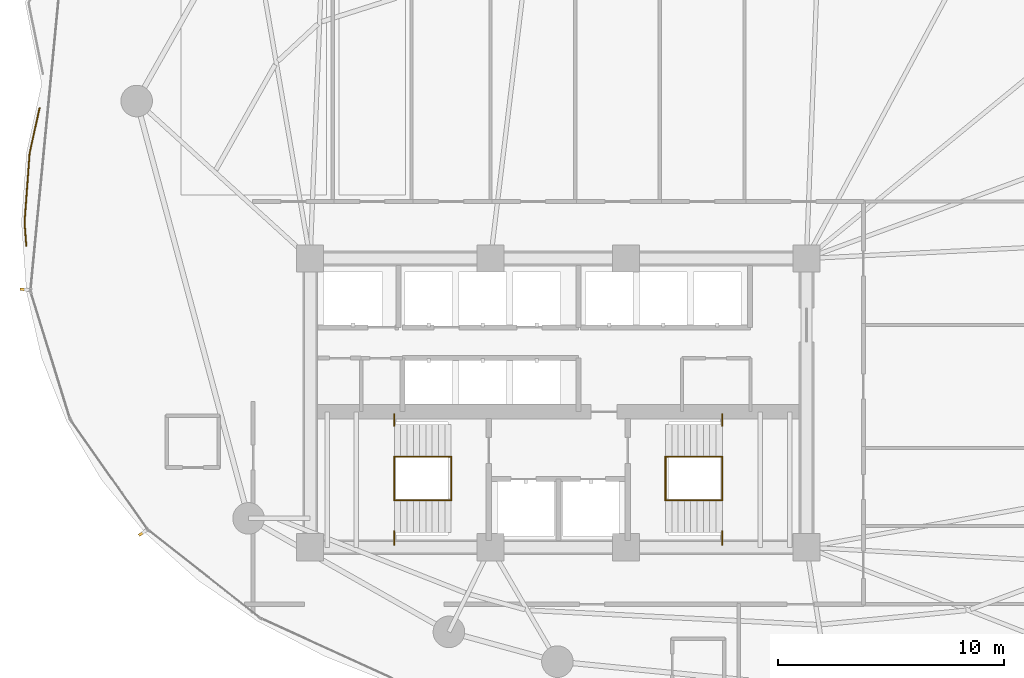
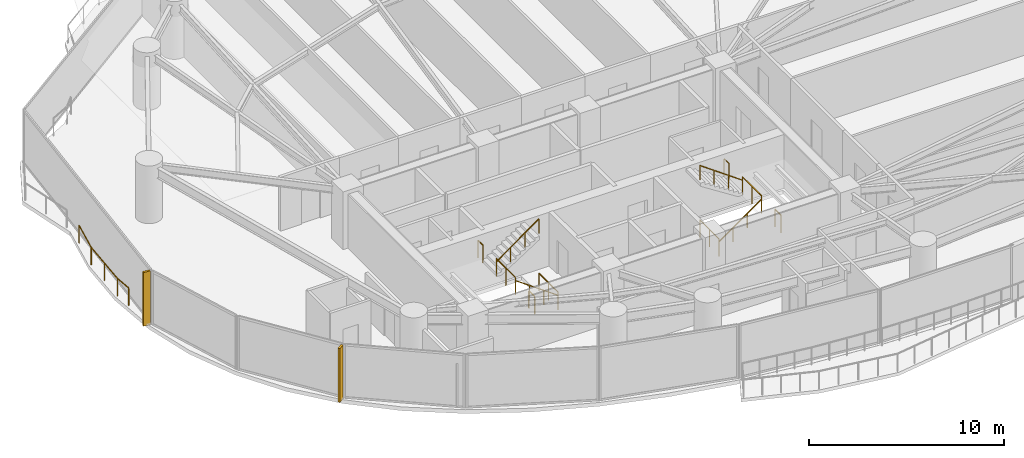
# One storey, part 29 of 31: 13 railings, 2 shading devices.
"""IFC4 building model written with IfcOpenShell, lengths in metres."""

from ifc_helpers import new_model, si_unit, direction, frame, origin, origin_2d, place, context, subcontext, project, spatial, rectangle, extrude, material, type_object, element, save


model = new_model("IFC4")

# Units and contexts
model_context = context("Model", 3, precision=1e-05, world=origin(), true_north=direction((0.0, 1.0)))
body_context = subcontext(model_context, "Body", "Model", "MODEL_VIEW")
ifc_project = project(units=[si_unit("LENGTHUNIT", "METRE"), si_unit("AREAUNIT", "SQUARE_METRE"), si_unit("VOLUMEUNIT", "CUBIC_METRE"), si_unit("PLANEANGLEUNIT", "RADIAN"), si_unit("MASSUNIT", "GRAM", prefix="KILO")], contexts=[model_context])

# Site, building, storey
site_placement = place(None, origin())
site = spatial("IfcSite", under=ifc_project, at=site_placement, CompositionType="ELEMENT")
building_placement = place(site_placement, origin())
building = spatial("IfcBuilding", under=site, at=building_placement, Name="Kazevale Care Tower and Concert Hall", CompositionType="ELEMENT")
storey_placement = place(building_placement, frame((0.0, 0.0, 60.0)))
storey = spatial("IfcBuildingStorey", under=building, at=storey_placement, Name="L15", CompositionType="ELEMENT", Elevation=60.0)

# Railings
ifc_material_1 = material(Name="Anodised Bronze Aluminium and Laminated Glass", Category="aluminium")
railing_type_1 = type_object("IfcRailingType", Name="Balcony and Terrace Balustrade 1120", PredefinedType="BALUSTRADE", material=ifc_material_1)
railing_1_placement = place(storey_placement, frame((9.416015625, 36.968017578125, 0.0)))
element("IfcRailing", 1, at=railing_1_placement, inside=storey, type_object=railing_type_1, Name="rail:L15:perim:1", PredefinedType="BALUSTRADE", context=body_context, shape_type="SweptSolid", body=[
    extrude(rectangle(XDim=0.048095703125, YDim=0.048095703125, at=origin_2d()), frame((0.0, 0.0, 1.09619140625), z_axis=(-0.073376305948, 0.997304325532, 0.0), x_axis=(-0.997304325532, -0.073376305948, 0.0)), (0.0, 0.0, 1.0), 1.03466796875),
    extrude(rectangle(XDim=0.048095703125, YDim=0.048095703125, at=origin_2d()), frame((-0.075927734375, 1.031982421875, 1.09619140625), z_axis=(0.072729345696, 0.997351714429, 0.0), x_axis=(-0.997351714429, 0.072729345696, 0.0)), (0.0, 0.0, 1.0), 3.078125),
    extrude(rectangle(XDim=0.048095703125, YDim=0.048095703125, at=origin_2d()), frame((0.14794921875, 4.10205078125, 1.09619140625), z_axis=(0.215389585979, 0.976528200439, 0.0), x_axis=(-0.976528200439, 0.215389585979, 0.0)), (0.0, 0.0, 1.0), 2.047119140625),
    extrude(rectangle(XDim=0.0419921875, YDim=0.0419921875, at=origin_2d()), origin(), (0.0, 0.0, 1.0), 1.072021484375),
    extrude(rectangle(XDim=0.0419921875, YDim=0.0419921875, at=origin_2d()), frame((-0.075927734375, 1.031982421875, 0.0)), (0.0, 0.0, 1.0), 1.072021484375),
    extrude(rectangle(XDim=0.0419921875, YDim=0.0419921875, at=origin_2d()), frame((0.0361328125, 2.56689453125, 0.0)), (0.0, 0.0, 1.0), 1.072021484375),
    extrude(rectangle(XDim=0.0419921875, YDim=0.0419921875, at=origin_2d()), frame((0.14794921875, 4.10205078125, 0.0)), (0.0, 0.0, 1.0), 1.072021484375),
    extrude(rectangle(XDim=0.0419921875, YDim=0.0419921875, at=origin_2d()), frame((0.5888671875, 6.10107421875, 0.0)), (0.0, 0.0, 1.0), 1.072021484375),
])
ifc_material_2 = material(Name="Stainless Steel 316", Category="steel")
railing_type_2 = type_object("IfcRailingType", Name="Stair Pitch Handrail 920", PredefinedType="HANDRAIL", material=ifc_material_2)
railing_2_placement = place(storey_placement, frame((28.25, 25.679931640625, 0.0)))
element("IfcRailing", 2, at=railing_2_placement, inside=storey, type_object=railing_type_2, Name="stair:L15:ST1:hr1", PredefinedType="HANDRAIL", context=body_context, shape_type="SweptSolid", body=[
    extrude(rectangle(XDim=0.048095703125, YDim=0.048095703125, at=origin_2d()), frame((0.0, 0.0, 0.89599609375), z_axis=(-0.813728144527, 0.0, 0.581245650998), x_axis=(0.0, -1.0, 0.0)), (0.0, 0.0, 1.0), 3.096923828125),
    extrude(rectangle(XDim=0.0419921875, YDim=0.0419921875, at=origin_2d()), origin(), (0.0, 0.0, 1.0), 0.871826171875),
    extrude(rectangle(XDim=0.0419921875, YDim=0.0419921875, at=origin_2d()), frame((-0.840087890625, 0.0, 0.60009765625)), (0.0, 0.0, 1.0), 0.871826171875),
    extrude(rectangle(XDim=0.0419921875, YDim=0.0419921875, at=origin_2d()), frame((-1.679931640625, 0.0, 1.199951171875)), (0.0, 0.0, 1.0), 0.871826171875),
    extrude(rectangle(XDim=0.0419921875, YDim=0.0419921875, at=origin_2d()), frame((-2.52001953125, 0.0, 1.800048828125)), (0.0, 0.0, 1.0), 0.871826171875),
])
for number, where, name in (
    (3, (25.72998046875, 27.6201171875, 1.800048828125), "stair:L15:ST1:hr2"),
    (4, (37.75, 25.679931640625, 0.0), "stair:L15:ST2:hr1"),
):
    element("IfcRailing", number, at=place(storey_placement, frame(where)), inside=storey, type_object=railing_type_2, Name=name, PredefinedType="HANDRAIL", context=body_context, shape_type="SweptSolid", body=[
        extrude(rectangle(XDim=0.048095703125, YDim=0.048095703125, at=origin_2d()), frame((0.0, 0.0, 0.89599609375), z_axis=(0.813728144527, 0.0, 0.581245650998), x_axis=(0.0, 1.0, 0.0)), (0.0, 0.0, 1.0), 3.096923828125),
        extrude(rectangle(XDim=0.0419921875, YDim=0.0419921875, at=origin_2d()), origin(), (0.0, 0.0, 1.0), 0.871826171875),
        extrude(rectangle(XDim=0.0419921875, YDim=0.0419921875, at=origin_2d()), frame((0.840087890625, 0.0, 0.60009765625)), (0.0, 0.0, 1.0), 0.871826171875),
        extrude(rectangle(XDim=0.0419921875, YDim=0.0419921875, at=origin_2d()), frame((1.679931640625, 0.0, 1.199951171875)), (0.0, 0.0, 1.0), 0.871826171875),
        extrude(rectangle(XDim=0.0419921875, YDim=0.0419921875, at=origin_2d()), frame((2.52001953125, 0.0, 1.800048828125)), (0.0, 0.0, 1.0), 0.871826171875),
    ])
railing_3_placement = place(storey_placement, frame((40.27001953125, 27.6201171875, 1.800048828125)))
element("IfcRailing", 5, at=railing_3_placement, inside=storey, type_object=railing_type_2, Name="stair:L15:ST2:hr2", PredefinedType="HANDRAIL", context=body_context, shape_type="SweptSolid", body=[
    extrude(rectangle(XDim=0.048095703125, YDim=0.048095703125, at=origin_2d()), frame((0.0, 0.0, 0.89599609375), z_axis=(-0.813728144527, 0.0, 0.581245650998), x_axis=(0.0, -1.0, 0.0)), (0.0, 0.0, 1.0), 3.096923828125),
    extrude(rectangle(XDim=0.0419921875, YDim=0.0419921875, at=origin_2d()), origin(), (0.0, 0.0, 1.0), 0.871826171875),
    extrude(rectangle(XDim=0.0419921875, YDim=0.0419921875, at=origin_2d()), frame((-0.840087890625, 0.0, 0.60009765625)), (0.0, 0.0, 1.0), 0.871826171875),
    extrude(rectangle(XDim=0.0419921875, YDim=0.0419921875, at=origin_2d()), frame((-1.679931640625, 0.0, 1.199951171875)), (0.0, 0.0, 1.0), 0.871826171875),
    extrude(rectangle(XDim=0.0419921875, YDim=0.0419921875, at=origin_2d()), frame((-2.52001953125, 0.0, 1.800048828125)), (0.0, 0.0, 1.0), 0.871826171875),
])
railing_type_3 = type_object("IfcRailingType", Name="Stair Well Guard Balustrade 1120", PredefinedType="BALUSTRADE", material=ifc_material_2)
railing_4_placement = place(storey_placement, frame((25.72998046875, 23.699951171875, 1.800048828125)))
element("IfcRailing", 6, at=railing_4_placement, inside=storey, type_object=railing_type_3, Name="stair:L15:ST1:grd_side1", PredefinedType="BALUSTRADE", context=body_context, shape_type="SweptSolid", body=[
    extrude(rectangle(XDim=0.048095703125, YDim=0.048095703125, at=origin_2d()), frame((0.0, 0.0, 1.09619140625), z_axis=(0.0, 1.0, 0.0), x_axis=(-1.0, 0.0, 0.0)), (0.0, 0.0, 1.0), 0.610107421875),
    extrude(rectangle(XDim=0.0419921875, YDim=0.0419921875, at=origin_2d()), origin(), (0.0, 0.0, 1.0), 1.072021484375),
    extrude(rectangle(XDim=0.0419921875, YDim=0.0419921875, at=origin_2d()), frame((0.0, 0.610107421875, 0.0)), (0.0, 0.0, 1.0), 1.072021484375),
])
railing_5_placement = place(storey_placement, frame((25.72998046875, 28.989990234375, 1.800048828125)))
element("IfcRailing", 7, at=railing_5_placement, inside=storey, type_object=railing_type_3, Name="stair:L15:ST1:grd_side2", PredefinedType="BALUSTRADE", context=body_context, shape_type="SweptSolid", body=[
    extrude(rectangle(XDim=0.048095703125, YDim=0.048095703125, at=origin_2d()), frame((0.0, 0.0, 1.09619140625), z_axis=(0.0, 1.0, 0.0), x_axis=(-1.0, 0.0, 0.0)), (0.0, 0.0, 1.0), 0.510009765625),
    extrude(rectangle(XDim=0.0419921875, YDim=0.0419921875, at=origin_2d()), origin(), (0.0, 0.0, 1.0), 1.072021484375),
    extrude(rectangle(XDim=0.0419921875, YDim=0.0419921875, at=origin_2d()), frame((0.0, 0.510009765625, 0.0)), (0.0, 0.0, 1.0), 1.072021484375),
])
for number, where, name in (
    (8, (25.72998046875, 25.679931640625, 1.800048828125), "stair:L15:ST1:grd_mid"),
    (9, (28.25, 25.679931640625, 0.0), "stair:L15:ST1:grd_flr"),
):
    element("IfcRailing", number, at=place(storey_placement, frame(where)), inside=storey, type_object=railing_type_3, Name=name, PredefinedType="BALUSTRADE", context=body_context, shape_type="SweptSolid", body=[
        extrude(rectangle(XDim=0.048095703125, YDim=0.048095703125, at=origin_2d()), frame((0.0, 0.0, 1.09619140625), z_axis=(0.0, 1.0, 0.0), x_axis=(-1.0, 0.0, 0.0)), (0.0, 0.0, 1.0), 1.940185546875),
        extrude(rectangle(XDim=0.0419921875, YDim=0.0419921875, at=origin_2d()), origin(), (0.0, 0.0, 1.0), 1.072021484375),
        extrude(rectangle(XDim=0.0419921875, YDim=0.0419921875, at=origin_2d()), frame((0.0, 0.97021484375, 0.0)), (0.0, 0.0, 1.0), 1.072021484375),
        extrude(rectangle(XDim=0.0419921875, YDim=0.0419921875, at=origin_2d()), frame((0.0, 1.940185546875, 0.0)), (0.0, 0.0, 1.0), 1.072021484375),
    ])
railing_6_placement = place(storey_placement, frame((40.27001953125, 23.699951171875, 1.800048828125)))
element("IfcRailing", 10, at=railing_6_placement, inside=storey, type_object=railing_type_3, Name="stair:L15:ST2:grd_side1", PredefinedType="BALUSTRADE", context=body_context, shape_type="SweptSolid", body=[
    extrude(rectangle(XDim=0.048095703125, YDim=0.048095703125, at=origin_2d()), frame((0.0, 0.0, 1.09619140625), z_axis=(0.0, 1.0, 0.0), x_axis=(-1.0, 0.0, 0.0)), (0.0, 0.0, 1.0), 0.610107421875),
    extrude(rectangle(XDim=0.0419921875, YDim=0.0419921875, at=origin_2d()), origin(), (0.0, 0.0, 1.0), 1.072021484375),
    extrude(rectangle(XDim=0.0419921875, YDim=0.0419921875, at=origin_2d()), frame((0.0, 0.610107421875, 0.0)), (0.0, 0.0, 1.0), 1.072021484375),
])
railing_7_placement = place(storey_placement, frame((40.27001953125, 28.989990234375, 1.800048828125)))
element("IfcRailing", 11, at=railing_7_placement, inside=storey, type_object=railing_type_3, Name="stair:L15:ST2:grd_side2", PredefinedType="BALUSTRADE", context=body_context, shape_type="SweptSolid", body=[
    extrude(rectangle(XDim=0.048095703125, YDim=0.048095703125, at=origin_2d()), frame((0.0, 0.0, 1.09619140625), z_axis=(0.0, 1.0, 0.0), x_axis=(-1.0, 0.0, 0.0)), (0.0, 0.0, 1.0), 0.510009765625),
    extrude(rectangle(XDim=0.0419921875, YDim=0.0419921875, at=origin_2d()), origin(), (0.0, 0.0, 1.0), 1.072021484375),
    extrude(rectangle(XDim=0.0419921875, YDim=0.0419921875, at=origin_2d()), frame((0.0, 0.510009765625, 0.0)), (0.0, 0.0, 1.0), 1.072021484375),
])
for number, where, name in (
    (12, (40.27001953125, 25.679931640625, 1.800048828125), "stair:L15:ST2:grd_mid"),
    (13, (37.75, 25.679931640625, 0.0), "stair:L15:ST2:grd_flr"),
):
    element("IfcRailing", number, at=place(storey_placement, frame(where)), inside=storey, type_object=railing_type_3, Name=name, PredefinedType="BALUSTRADE", context=body_context, shape_type="SweptSolid", body=[
        extrude(rectangle(XDim=0.048095703125, YDim=0.048095703125, at=origin_2d()), frame((0.0, 0.0, 1.09619140625), z_axis=(0.0, 1.0, 0.0), x_axis=(-1.0, 0.0, 0.0)), (0.0, 0.0, 1.0), 1.940185546875),
        extrude(rectangle(XDim=0.0419921875, YDim=0.0419921875, at=origin_2d()), origin(), (0.0, 0.0, 1.0), 1.072021484375),
        extrude(rectangle(XDim=0.0419921875, YDim=0.0419921875, at=origin_2d()), frame((0.0, 0.97021484375, 0.0)), (0.0, 0.0, 1.0), 1.072021484375),
        extrude(rectangle(XDim=0.0419921875, YDim=0.0419921875, at=origin_2d()), frame((0.0, 1.940185546875, 0.0)), (0.0, 0.0, 1.0), 1.072021484375),
    ])

# Shading devices
ifc_material_3 = material(Name="Honed Ochre Limestone", Category="masonry")
shading_device_type = type_object("IfcShadingDeviceType", Name="Vertical Honed Limestone Fin FIN-01", PredefinedType="USERDEFINED", material=ifc_material_3)
for number, where, z_axis, x_axis, name in (
    (14, (14.5693359375, 24.23779296875, 0.0), (0.0, 0.0, 1.0), (-0.817547124842, -0.575861700985, 0.0), "cw:L15:f11:fin"),
    (15, (9.3330078125, 35.0244140625, 0.0), (0.0, 0.0, 1.0), (-0.995379454967, 0.09601948047, 0.0), "cw:L15:f13:fin"),
):
    element("IfcShadingDevice", number, at=place(storey_placement, frame(where, z_axis=z_axis, x_axis=x_axis)), inside=storey, type_object=shading_device_type, Name=name, ObjectType="FIN", PredefinedType="USERDEFINED", context=body_context, shape_type="SweptSolid", body=[
        extrude(rectangle(XDim=0.3798828125, YDim=0.1201171875, at=origin_2d()), origin(), (0.0, 0.0, 1.0), 3.360107421875),
    ])

save(model, "model.ifc")
